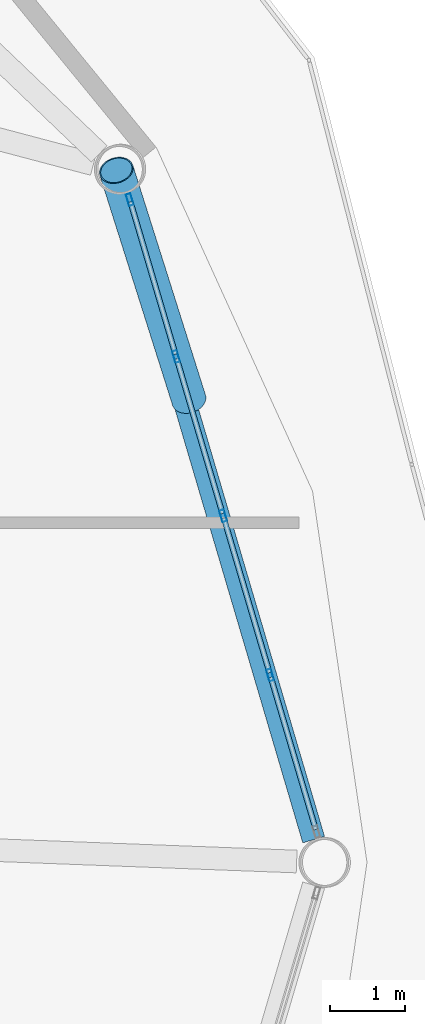
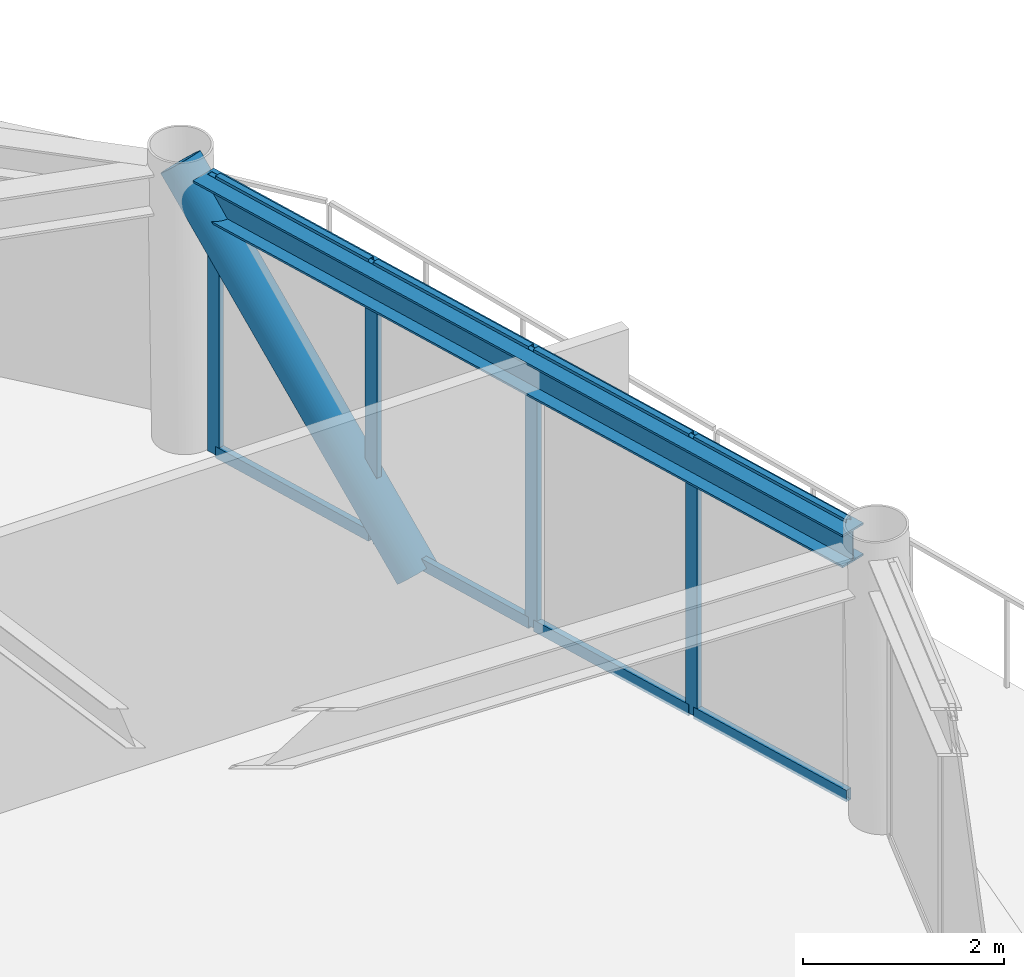
# One storey, part 17 of 28: 13 members, 1 beam, 1 element without a shape of its own.
"""IFC4 building model written with IfcOpenShell, lengths in metres."""

from ifc_helpers import new_model, si_unit, direction, frame, origin, origin_2d, place, context, subcontext, project, spatial, hollow_rectangle, hollow_circle, i_section, extrude, material, layer, layer_set, material_profile, profile_set, type_object, element, aggregate, save


model = new_model("IFC4")

# Units and contexts
model_context = context("Model", 3, precision=1e-05, world=origin(), true_north=direction((0.0, 1.0)))
body_context = subcontext(model_context, "Body", "Model", "MODEL_VIEW")
ifc_project = project(units=[si_unit("LENGTHUNIT", "METRE"), si_unit("AREAUNIT", "SQUARE_METRE"), si_unit("VOLUMEUNIT", "CUBIC_METRE"), si_unit("PLANEANGLEUNIT", "RADIAN"), si_unit("MASSUNIT", "GRAM", prefix="KILO")], contexts=[model_context])

# Site, building, storey
site_placement = place(None, origin())
site = spatial("IfcSite", under=ifc_project, at=site_placement, CompositionType="ELEMENT")
building_placement = place(site_placement, origin())
building = spatial("IfcBuilding", under=site, at=building_placement, Name="Varnakorn Sky Granary", CompositionType="ELEMENT")
storey_placement = place(building_placement, frame((0.0, 0.0, 200.39990234375)))
storey = spatial("IfcBuildingStorey", under=building, at=storey_placement, Name="L50", CompositionType="ELEMENT", Elevation=200.39990234375)

# Beam
ifc_material_1 = material(Name="Steel S355JR", Category="steel")
ifc_material_profile_1 = material_profile(ifc_material_1, i_section(OverallWidth=0.300048828125, OverallDepth=0.39990234375, WebThickness=0.013427734375, FlangeThickness=0.02392578125, at=origin_2d()), Name="HE 400 B")
ifc_profile_set_1 = profile_set([ifc_material_profile_1], Name="Steel S355JR")
beam_type = type_object("IfcBeamType", Name="BM-SPD-Z4", PredefinedType="SPANDREL", material=ifc_profile_set_1)
beam_placement = place(storey_placement, frame((24.06884765625, 0.302001953125, 3.16015625), z_axis=(-0.282725631314, 0.959200822246, 0.0), x_axis=(-0.959200822246, -0.282725631314, 0.0)))
element("IfcBeam", 1, at=beam_placement, inside=storey, type_object=beam_type, Name="Perimeter Spandrel Ring Beam RB01 L50", PredefinedType="SPANDREL", context=body_context, shape_type="SweptSolid", body=[
    extrude(i_section(OverallWidth=0.300048828125, OverallDepth=0.39990234375, WebThickness=0.013427734375, FlangeThickness=0.02392578125, at=origin_2d()), origin(), (0.0, 0.0, 1.0), 8.932373046875),
])

# Curtain wall, members
ifc_material_2 = material(Name="Anodised Bronze Aluminium Alloy 6063-T6", Category="aluminium")
ifc_layer = layer(ifc_material_2, 0.169921875, Name="Anodised Bronze Aluminium Alloy 6063-T6")
ifc_layer_set = layer_set([ifc_layer], Name="Anodised Bronze Aluminium Alloy 6063-T6")
curtain_wall_type = type_object("IfcCurtainWallType", Name="CW-LAB-1", PredefinedType="USERDEFINED", material=ifc_layer_set)
curtain_wall_placement = place(storey_placement, origin())
curtain_wall = element("IfcCurtainWall", 2, at=curtain_wall_placement, inside=storey, type_object=curtain_wall_type, Name="Unitised Curtain Wall CW5 CW-L50-B01", ObjectType="CURTAIN WALL", PredefinedType="USERDEFINED")
ifc_material_profile_2 = material_profile(ifc_material_2, hollow_rectangle(XDim=0.06494140625, YDim=0.159912109375, WallThickness=0.00341796875, at=origin_2d()), Name="ALU MULL 65x160")
ifc_profile_set_2 = profile_set([ifc_material_profile_2], Name="Anodised Bronze Aluminium Alloy 6063-T6")
member_type_1 = type_object("IfcMemberType", Name="CW-LAB-1-MULL", PredefinedType="MULLION", material=ifc_profile_set_2)
member_1_placement = place(storey_placement, frame((21.6328125, 8.783935546875, 0.0), z_axis=(0.0, 0.0, 1.0), x_axis=(0.959077331245, 0.283144261272, 0.0)))
member_1 = element("IfcMember", 3, at=member_1_placement, type_object=member_type_1, Name="CW5 mullion 1", PredefinedType="MULLION", context=body_context, shape_type="SweptSolid", body=[
    extrude(hollow_rectangle(XDim=0.06494140625, YDim=0.159912109375, WallThickness=0.00341796875, at=origin_2d()), origin(), (0.0, 0.0, 1.0), 3.360107421875),
])
member_2_placement = place(storey_placement, frame((22.24658203125, 6.704833984375, 0.0), z_axis=(0.0, 0.0, 1.0), x_axis=(0.959077331245, 0.283144261272, 0.0)))
member_2 = element("IfcMember", 4, at=member_2_placement, type_object=member_type_1, Name="CW5 mullion 2", PredefinedType="MULLION", context=body_context, shape_type="SweptSolid", body=[
    extrude(hollow_rectangle(XDim=0.06494140625, YDim=0.159912109375, WallThickness=0.00341796875, at=origin_2d()), origin(), (0.0, 0.0, 1.0), 3.360107421875),
])
member_3_placement = place(storey_placement, frame((22.86962890625, 4.594482421875, 0.0), z_axis=(0.0, 0.0, 1.0), x_axis=(0.959077331245, 0.283144261272, 0.0)))
member_3 = element("IfcMember", 5, at=member_3_placement, type_object=member_type_1, Name="CW5 mullion 3", PredefinedType="MULLION", context=body_context, shape_type="SweptSolid", body=[
    extrude(hollow_rectangle(XDim=0.06494140625, YDim=0.159912109375, WallThickness=0.00341796875, at=origin_2d()), origin(), (0.0, 0.0, 1.0), 3.360107421875),
])
member_4_placement = place(storey_placement, frame((23.49267578125, 2.484130859375, 0.0), z_axis=(0.0, 0.0, 1.0), x_axis=(0.959077331245, 0.283144261272, 0.0)))
member_4 = element("IfcMember", 6, at=member_4_placement, type_object=member_type_1, Name="CW5 mullion 4", PredefinedType="MULLION", context=body_context, shape_type="SweptSolid", body=[
    extrude(hollow_rectangle(XDim=0.06494140625, YDim=0.159912109375, WallThickness=0.00341796875, at=origin_2d()), origin(), (0.0, 0.0, 1.0), 3.360107421875),
])
ifc_material_profile_3 = material_profile(ifc_material_2, hollow_rectangle(XDim=0.070068359375, YDim=0.139892578125, WallThickness=0.00341796875, at=origin_2d()), Name="ALU TRAN 70x140")
ifc_profile_set_3 = profile_set([ifc_material_profile_3], Name="Anodised Bronze Aluminium Alloy 6063-T6")
member_type_2 = type_object("IfcMemberType", Name="CW-LAB-1-TRAN", PredefinedType="USERDEFINED", material=ifc_profile_set_3)
member_5_placement = place(storey_placement, frame((21.64208984375, 8.752685546875, 0.03515625), z_axis=(0.283052485029, -0.959104421176, 0.0), x_axis=(0.959104421176, 0.283052485029, 0.0)))
member_5 = element("IfcMember", 7, at=member_5_placement, type_object=member_type_2, Name="CW5 transom 1.1", ObjectType="TRANSOM", PredefinedType="USERDEFINED", context=body_context, shape_type="SweptSolid", body=[
    extrude(hollow_rectangle(XDim=0.070068359375, YDim=0.139892578125, WallThickness=0.00341796875, at=origin_2d()), origin(), (0.0, 0.0, 1.0), 2.102783203125),
])
member_6_placement = place(storey_placement, frame((21.64208984375, 8.752685546875, 3.3251953125), z_axis=(0.283052485029, -0.959104421176, 0.0), x_axis=(0.959104421176, 0.283052485029, 0.0)))
member_6 = element("IfcMember", 8, at=member_6_placement, type_object=member_type_2, Name="CW5 transom 1.2", ObjectType="TRANSOM", PredefinedType="USERDEFINED", context=body_context, shape_type="SweptSolid", body=[
    extrude(hollow_rectangle(XDim=0.070068359375, YDim=0.139892578125, WallThickness=0.00341796875, at=origin_2d()), origin(), (0.0, 0.0, 1.0), 2.102783203125),
])
member_7_placement = place(storey_placement, frame((22.255859375, 6.673583984375, 0.03515625), z_axis=(0.283107130654, -0.959088292376, 0.0), x_axis=(0.959088292376, 0.283107130654, 0.0)))
member_7 = element("IfcMember", 9, at=member_7_placement, type_object=member_type_2, Name="CW5 transom 2.1", ObjectType="TRANSOM", PredefinedType="USERDEFINED", context=body_context, shape_type="SweptSolid", body=[
    extrude(hollow_rectangle(XDim=0.070068359375, YDim=0.139892578125, WallThickness=0.00341796875, at=origin_2d()), origin(), (0.0, 0.0, 1.0), 2.13525390625),
])
member_8_placement = place(storey_placement, frame((22.255859375, 6.673583984375, 3.3251953125), z_axis=(0.283107130654, -0.959088292376, 0.0), x_axis=(0.959088292376, 0.283107130654, 0.0)))
member_8 = element("IfcMember", 10, at=member_8_placement, type_object=member_type_2, Name="CW5 transom 2.2", ObjectType="TRANSOM", PredefinedType="USERDEFINED", context=body_context, shape_type="SweptSolid", body=[
    extrude(hollow_rectangle(XDim=0.070068359375, YDim=0.139892578125, WallThickness=0.00341796875, at=origin_2d()), origin(), (0.0, 0.0, 1.0), 2.13525390625),
])
member_9_placement = place(storey_placement, frame((22.87890625, 4.563232421875, 0.03515625), z_axis=(0.283107130654, -0.959088292376, 0.0), x_axis=(0.959088292376, 0.283107130654, 0.0)))
member_9 = element("IfcMember", 11, at=member_9_placement, type_object=member_type_2, Name="CW5 transom 3.1", ObjectType="TRANSOM", PredefinedType="USERDEFINED", context=body_context, shape_type="SweptSolid", body=[
    extrude(hollow_rectangle(XDim=0.070068359375, YDim=0.139892578125, WallThickness=0.00341796875, at=origin_2d()), origin(), (0.0, 0.0, 1.0), 2.13525390625),
])
member_10_placement = place(storey_placement, frame((22.87890625, 4.563232421875, 3.3251953125), z_axis=(0.283107130654, -0.959088292376, 0.0), x_axis=(0.959088292376, 0.283107130654, 0.0)))
member_10 = element("IfcMember", 12, at=member_10_placement, type_object=member_type_2, Name="CW5 transom 3.2", ObjectType="TRANSOM", PredefinedType="USERDEFINED", context=body_context, shape_type="SweptSolid", body=[
    extrude(hollow_rectangle(XDim=0.070068359375, YDim=0.139892578125, WallThickness=0.00341796875, at=origin_2d()), origin(), (0.0, 0.0, 1.0), 2.13525390625),
])
member_11_placement = place(storey_placement, frame((23.501708984375, 2.453125, 0.03515625), z_axis=(0.283159278241, -0.959072897723, 0.0), x_axis=(0.959072897723, 0.283159278241, 0.0)))
member_11 = element("IfcMember", 13, at=member_11_placement, type_object=member_type_2, Name="CW5 transom 4.1", ObjectType="TRANSOM", PredefinedType="USERDEFINED", context=body_context, shape_type="SweptSolid", body=[
    extrude(hollow_rectangle(XDim=0.070068359375, YDim=0.139892578125, WallThickness=0.00341796875, at=origin_2d()), origin(), (0.0, 0.0, 1.0), 2.10302734375),
])
member_12_placement = place(storey_placement, frame((23.501708984375, 2.453125, 3.3251953125), z_axis=(0.283159278241, -0.959072897723, 0.0), x_axis=(0.959072897723, 0.283159278241, 0.0)))
member_12 = element("IfcMember", 14, at=member_12_placement, type_object=member_type_2, Name="CW5 transom 4.2", ObjectType="TRANSOM", PredefinedType="USERDEFINED", context=body_context, shape_type="SweptSolid", body=[
    extrude(hollow_rectangle(XDim=0.070068359375, YDim=0.139892578125, WallThickness=0.00341796875, at=origin_2d()), origin(), (0.0, 0.0, 1.0), 2.10302734375),
])
aggregate(curtain_wall, [member_1, member_2, member_3, member_4, member_5, member_6, member_7, member_8, member_9, member_10, member_11, member_12])

# Member
ifc_material_3 = material(Name="Steel S460M", Category="steel")
ifc_material_profile_4 = material_profile(ifc_material_3, hollow_circle(Radius=0.228515625, WallThickness=0.01611328125, at=origin_2d()), Name="CHS 457x16")
ifc_profile_set_4 = profile_set([ifc_material_profile_4], Name="Steel S460M")
member_type_3 = type_object("IfcMemberType", Name="MB-DIAG-T3", PredefinedType="BRACE", material=ifc_profile_set_4)
member_13_placement = place(storey_placement, frame((22.41748046875, 6.1259765625, -0.1298828125), z_axis=(-0.203560052019, 0.643807039046, 0.737614941346), x_axis=(-0.953475194919, -0.301471479038, 0.0)))
element("IfcMember", 15, at=member_13_placement, inside=storey, type_object=member_type_3, Name="Perimeter CHS Diagrid Brace DG01 L50", PredefinedType="BRACE", context=body_context, shape_type="SweptSolid", body=[
    extrude(hollow_circle(Radius=0.228515625, WallThickness=0.01611328125, at=origin_2d()), origin(), (0.0, 0.0, 1.0), 4.7314453125),
])

save(model, "model.ifc")
